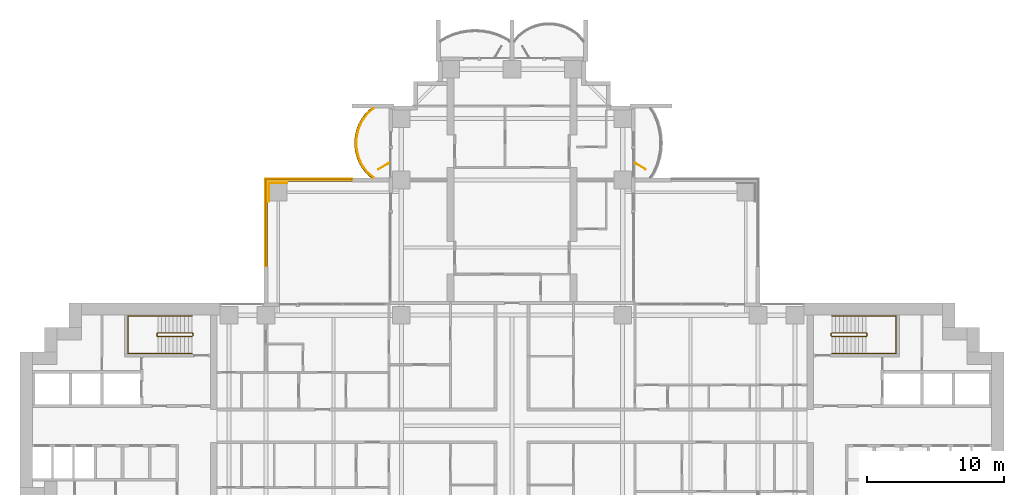
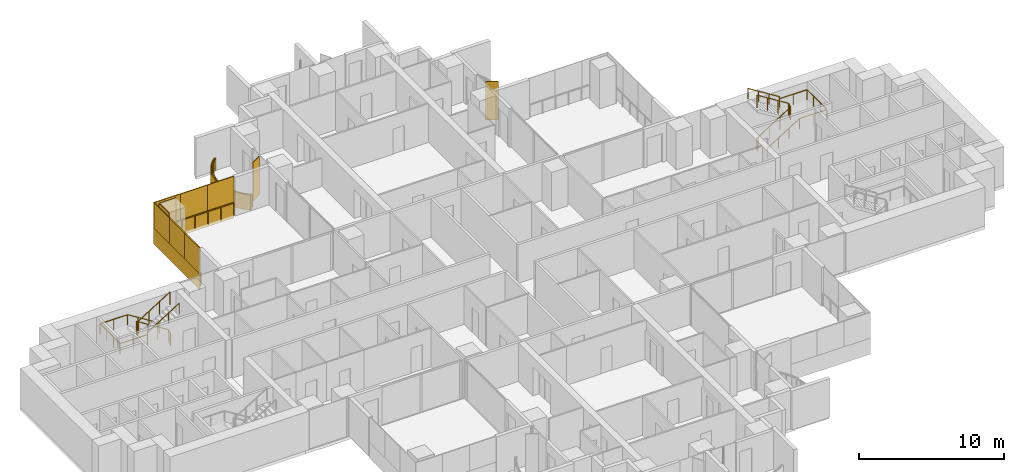
# One storey, part 20 of 21: 10 coverings, 6 railings, 2 shading devices.
"""IFC4 building model written with IfcOpenShell, lengths in metres."""

import ifcopenshell
import ifcopenshell.guid

model = None  # the IFC model being written
_history = None  # IfcOwnerHistory: only IFC2X3 demands one
_inside = {}  # id of a spatial element -> (the spatial element, [elements in it])
_under = {}  # id of a project, library or spatial element -> (it, [spatial elements below it])
_declared = {}  # id of a project -> (the project, [libraries it declares])
_typed = {}  # id of a type object -> (the type object, [elements of that type])
_made_of = {}  # id of a material, layer set ... -> (it, [elements and type objects made of it])


def new_model(schema):
    """Start an empty IFC model of exactly this schema.

    Asked for "IFC4X3", IfcOpenShell would pick the latest addendum, in which some entities
    have other attributes; the version numbers below select the first issue.
    IFC2X3 requires an IfcOwnerHistory on every rooted entity: one is made here for all.
    """
    global model, _history
    if schema == "IFC4X3":
        model = ifcopenshell.file(schema_version=(4, 3, 0, 0))
    else:
        model = ifcopenshell.file(schema=schema)
    _inside.clear()
    _under.clear()
    _declared.clear()
    _typed.clear()
    _made_of.clear()
    _history = None
    if model.schema == "IFC2X3":
        org = make("IfcOrganization", Name="unknown")
        user = make(
            "IfcPersonAndOrganization",
            ThePerson=make("IfcPerson", FamilyName="unknown"),
            TheOrganization=org,
        )
        app = make(
            "IfcApplication",
            ApplicationDeveloper=org,
            Version="unknown",
            ApplicationFullName="unknown",
            ApplicationIdentifier="unknown",
        )
        _history = make(
            "IfcOwnerHistory",
            OwningUser=user,
            OwningApplication=app,
            ChangeAction="ADDED",
            CreationDate=0,
        )
    return model


def make(cls, **values):
    """One entity of the class cls with the attributes given. An attribute that is None is left unset."""
    return model.create_entity(
        cls, **{name: value for name, value in values.items() if value is not None}
    )


def rooted(cls, **values):
    """An entity with a GlobalId (a new one), such as an element, a storey or a relation."""
    return make(cls, GlobalId=ifcopenshell.guid.new(), OwnerHistory=_history, **values)


def si_unit(unit_type, name, prefix=None):
    """IfcSIUnit, for example si_unit("LENGTHUNIT", "METRE", prefix="MILLI")."""
    return make("IfcSIUnit", UnitType=unit_type, Prefix=prefix, Name=name)


def assignment(units):
    """IfcUnitAssignment: the units of a project."""
    return None if units is None else make("IfcUnitAssignment", Units=units)


def point(xyz):
    """IfcCartesianPoint."""
    return None if xyz is None else make("IfcCartesianPoint", Coordinates=xyz)


def direction(xyz):
    """IfcDirection."""
    return None if xyz is None else make("IfcDirection", DirectionRatios=xyz)


def frame(location, z_axis=None, x_axis=None):
    """IfcAxis2Placement3D, a coordinate frame: its origin and axes. An axis left out is left unset."""
    return make(
        "IfcAxis2Placement3D",
        Location=point(location),
        Axis=direction(z_axis),
        RefDirection=direction(x_axis),
    )


def frame_2d(location, x_axis=None):
    """IfcAxis2Placement2D, a coordinate frame in the plane: its origin and x axis."""
    return make(
        "IfcAxis2Placement2D", Location=point(location), RefDirection=direction(x_axis)
    )


def origin():
    """The frame at (0, 0, 0) with its axes left unset."""
    return frame((0.0, 0.0, 0.0))


def origin_2d():
    """The frame at (0, 0) in the plane with its x axis left unset."""
    return frame_2d((0.0, 0.0))


def place(relative_to, where):
    """IfcLocalPlacement: puts the frame where relative to a parent placement (None: the world)."""
    return make(
        "IfcLocalPlacement", PlacementRelTo=relative_to, RelativePlacement=where
    )


def context(
    kind, dimensions, precision=None, world=None, true_north=None, identifier=None
):
    """IfcGeometricRepresentationContext, for example the 3D "Model" context."""
    return make(
        "IfcGeometricRepresentationContext",
        ContextIdentifier=identifier,
        ContextType=kind,
        CoordinateSpaceDimension=dimensions,
        Precision=precision,
        WorldCoordinateSystem=world,
        TrueNorth=true_north,
    )


def subcontext(parent, identifier, kind, view, scale=None):
    """IfcGeometricRepresentationSubContext, for example "Body" below "Model"."""
    return make(
        "IfcGeometricRepresentationSubContext",
        ContextIdentifier=identifier,
        ContextType=kind,
        ParentContext=parent,
        TargetScale=scale,
        TargetView=view,
    )


def project(units=None, contexts=None):
    """IfcProject with its units and contexts."""
    return rooted(
        "IfcProject",
        Name="project",
        RepresentationContexts=contexts,
        UnitsInContext=assignment(units),
    )


def spatial(cls, under=None, at=None, **own):
    """A site, building, storey or space (cls), placed at a placement, below another one or the project."""
    s = rooted(cls, ObjectPlacement=at, **own)
    if under is not None:
        _under.setdefault(under.id(), (under, []))[1].append(s)
    return s


def polyline(points):
    """IfcPolyline through the points."""
    return make("IfcPolyline", Points=[point(p) for p in points])


def profile(cls, at=None, kind="AREA", **sizes):
    """A parametric profile (cls). Its sizes go by their IFC names, for example OverallWidth=200.0."""
    return make(cls, ProfileType=kind, Position=at, **sizes)


def rectangle(**sizes):
    """IfcRectangleProfileDef."""
    return profile("IfcRectangleProfileDef", **sizes)


def outline(outer, holes=None, kind="AREA"):
    """IfcArbitraryClosedProfileDef: a profile drawn as a closed curve; with holes, ...WithVoids."""
    if holes is None:
        return make("IfcArbitraryClosedProfileDef", ProfileType=kind, OuterCurve=outer)
    return make(
        "IfcArbitraryProfileDefWithVoids",
        ProfileType=kind,
        OuterCurve=outer,
        InnerCurves=holes,
    )


def extrude(swept, where, along, depth):
    """IfcExtrudedAreaSolid: the profile swept, set in the frame where, extruded along a direction by depth."""
    return make(
        "IfcExtrudedAreaSolid",
        SweptArea=swept,
        Position=where,
        ExtrudedDirection=direction(along),
        Depth=depth,
    )


def shape(context_of_items, identifier, shape_type, items):
    """IfcShapeRepresentation: the items that make up one representation, for example the "Body"."""
    return make(
        "IfcShapeRepresentation",
        ContextOfItems=context_of_items,
        RepresentationIdentifier=identifier,
        RepresentationType=shape_type,
        Items=items,
    )


def material(Name=None, Category=None):
    """IfcMaterial."""
    return make("IfcMaterial", Name=Name, Category=Category)


def layer(
    of_material, thickness, ventilated=None, Name=None, Category=None, Priority=None
):
    """IfcMaterialLayer: one layer of a wall or slab, of a material (None: an air gap)."""
    return make(
        "IfcMaterialLayer",
        Material=of_material,
        LayerThickness=thickness,
        IsVentilated=ventilated,
        Name=Name,
        Category=Category,
        Priority=Priority,
    )


def layer_set(layers, Name=None):
    """IfcMaterialLayerSet."""
    return make("IfcMaterialLayerSet", MaterialLayers=layers, LayerSetName=Name)


def made_of(thing, what):
    """Note that an element or type object is made of a material, layer set ...; save() writes the relation."""
    if what is not None:
        _made_of.setdefault(what.id(), (what, []))[1].append(thing)
    return thing


def type_object(cls, material=None, **own):
    """A type object (cls), such as IfcWallType, which elements share."""
    return made_of(rooted(cls, **own), material)


def element(
    cls,
    number,
    at=None,
    inside=None,
    cuts=None,
    type_object=None,
    material=None,
    context=None,
    identifier="Body",
    shape_type=None,
    held_by="IfcProductDefinitionShape",
    body=None,
    shapes=None,
    **own,
):
    """One element of the class cls, such as IfcWall. Its Tag is "e" and its number.

    at: its placement. inside: the storey or other place that contains it. cuts: it is an
    opening in that element (IfcRelVoidsElement). A single representation is given by context,
    identifier, shape_type and body (its items); several are given by shapes. held_by: the class
    of the entity that holds the representations. save() writes the other relations.
    """
    e = rooted(cls, Tag="e%d" % number, ObjectPlacement=at, **own)
    if body is not None:
        shapes = [shape(context, identifier, shape_type, body)]
    if shapes is not None:
        e.Representation = make(held_by, Representations=shapes)
    if inside is not None:
        _inside.setdefault(inside.id(), (inside, []))[1].append(e)
    if cuts is not None:
        rooted(
            "IfcRelVoidsElement", RelatingBuildingElement=cuts, RelatedOpeningElement=e
        )
    if type_object is not None:
        _typed.setdefault(type_object.id(), (type_object, []))[1].append(e)
    return made_of(e, material)


def aggregate(whole, parts):
    """IfcRelAggregates: a whole, such as a stair, and the parts it consists of."""
    return rooted("IfcRelAggregates", RelatingObject=whole, RelatedObjects=parts)


def save(model, path):
    """Write the relations noted so far, then the file.

    IfcRelAggregates (storeys below a building ...), IfcRelContainedInSpatialStructure (elements
    in a storey), IfcRelDefinesByType, IfcRelAssociatesMaterial and IfcRelDeclares: one each for
    every whole, place, type object, material and project.
    """
    for whole, parts in _under.values():
        aggregate(whole, parts)
    for where, things in _inside.values():
        rooted(
            "IfcRelContainedInSpatialStructure",
            RelatedElements=things,
            RelatingStructure=where,
        )
    for kind, things in _typed.values():
        rooted("IfcRelDefinesByType", RelatedObjects=things, RelatingType=kind)
    for what, things in _made_of.values():
        rooted("IfcRelAssociatesMaterial", RelatedObjects=things, RelatingMaterial=what)
    for by, libraries in _declared.values():
        rooted("IfcRelDeclares", RelatingContext=by, RelatedDefinitions=libraries)
    model.write(path)


model = new_model("IFC4")

# Units and contexts
model_context = context("Model", 3, precision=1e-05, world=origin(), true_north=direction((0.0, 1.0)))
body_context = subcontext(model_context, "Body", "Model", "MODEL_VIEW")
ifc_project = project(units=[si_unit("LENGTHUNIT", "METRE"), si_unit("AREAUNIT", "SQUARE_METRE"), si_unit("VOLUMEUNIT", "CUBIC_METRE"), si_unit("PLANEANGLEUNIT", "RADIAN"), si_unit("MASSUNIT", "GRAM", prefix="KILO")], contexts=[model_context])

# Site, building, storey
site_placement = place(None, origin())
site = spatial("IfcSite", under=ifc_project, at=site_placement, CompositionType="ELEMENT")
building_placement = place(site_placement, origin())
building = spatial("IfcBuilding", under=site, at=building_placement, Name="Perihelion Cross Residences", CompositionType="ELEMENT")
storey_placement = place(building_placement, frame((0.0, 0.0, 40.0)))
storey = spatial("IfcBuildingStorey", under=building, at=storey_placement, Name="L06", CompositionType="ELEMENT", Elevation=40.0)

# Covering
ifc_material_1 = material(Name="Bronze anodised aluminium", Category="aluminium")
ifc_layer_1 = layer(ifc_material_1, 0.070068359375)
ifc_layer_set_1 = layer_set([ifc_layer_1], Name="Balcony fascia 1300")
covering_type_1 = type_object("IfcCoveringType", Name="Balcony fascia 1300", PredefinedType="CLADDING", material=ifc_layer_set_1)
covering_1_placement = place(storey_placement, frame((0.0, 0.0, -0.199951171875)))
element("IfcCovering", 1, at=covering_1_placement, inside=storey, type_object=covering_type_1, Name="Fascia BF1 L06 north side west bay 1", PredefinedType="CLADDING", context=body_context, shape_type="SweptSolid", body=[
    extrude(outline(polyline([(-10.674072265625, 22.90478515625), (-10.982666015625, 22.50390625), (-11.20654296875, 22.10302734375), (-11.364013671875, 21.7021484375), (-11.464599609375, 21.30126953125), (-11.513916015625, 20.900390625), (-11.513916015625, 20.49951171875), (-11.464599609375, 20.0986328125), (-11.364013671875, 19.69775390625), (-11.20654296875, 19.296875), (-10.982666015625, 18.89599609375), (-10.674072265625, 18.4951171875), (-10.302734375, 18.14990234375), (-10.199951171875, 18.14990234375), (-10.622314453125, 18.542236328125), (-10.924072265625, 18.9345703125), (-11.143310546875, 19.326904296875), (-11.29736328125, 19.71923828125), (-11.39599609375, 20.111572265625), (-11.444091796875, 20.50390625), (-11.444091796875, 20.896240234375), (-11.39599609375, 21.28857421875), (-11.29736328125, 21.6806640625), (-11.143310546875, 22.072998046875), (-10.924072265625, 22.46533203125), (-10.622314453125, 22.857666015625), (-10.199951171875, 23.25), (-10.302734375, 23.25), (-10.674072265625, 22.90478515625)])), origin(), (0.0, 0.0, 1.0), 1.300048828125),
])

# Railings
ifc_material_2 = material(Name="Bronze anodised aluminium", Category="aluminium")
railing_type_1 = type_object("IfcRailingType", Name="Balcony guard 1100", PredefinedType="GUARDRAIL", material=ifc_material_2)
railing_1_placement = place(storey_placement, frame((-10.139892578125, 23.22509765625, 0.0)))
element("IfcRailing", 2, at=railing_1_placement, inside=storey, type_object=railing_type_1, Name="Guard GU1 L06 north side west bay 1 balcony", PredefinedType="GUARDRAIL", context=body_context, shape_type="SweptSolid", body=[
    extrude(rectangle(XDim=0.048095703125, YDim=0.048095703125, at=origin_2d()), frame((0.0, 0.0, 1.076171875), z_axis=(-0.754464673757, -0.656340655493, 0.0), x_axis=(0.656340655493, -0.754464673757, 0.0)), (0.0, 0.0, 1.0), 0.559814453125),
    extrude(rectangle(XDim=0.048095703125, YDim=0.048095703125, at=origin_2d()), frame((-0.42236328125, -0.367431640625, 1.076171875), z_axis=(-0.60966308455, -0.792660660899, 0.0), x_axis=(0.792660660899, -0.60966308455, 0.0)), (0.0, 0.0, 1.0), 0.494873046875),
    extrude(rectangle(XDim=0.048095703125, YDim=0.048095703125, at=origin_2d()), frame((-0.72412109375, -0.759765625, 1.076171875), z_axis=(-0.487809182674, -0.872950285698, 0.0), x_axis=(0.872950285698, -0.487809182674, 0.0)), (0.0, 0.0, 1.0), 0.449462890625),
    extrude(rectangle(XDim=0.048095703125, YDim=0.048095703125, at=origin_2d()), frame((-0.943359375, -1.152099609375, 1.076171875), z_axis=(-0.365491079925, -0.930814842219, 0.0), x_axis=(0.930814842219, -0.365491079925, 0.0)), (0.0, 0.0, 1.0), 0.42138671875),
    extrude(rectangle(XDim=0.048095703125, YDim=0.048095703125, at=origin_2d()), frame((-1.097412109375, -1.54443359375, 1.076171875), z_axis=(-0.243956193074, -0.969786252666, 0.0), x_axis=(0.969786252666, -0.243956193074, 0.0)), (0.0, 0.0, 1.0), 0.404296875),
    extrude(rectangle(XDim=0.048095703125, YDim=0.048095703125, at=origin_2d()), frame((-1.196044921875, -1.9365234375, 1.076171875), z_axis=(-0.121677797999, -0.992569651699, 0.0), x_axis=(0.992569651699, -0.121677797999, 0.0)), (0.0, 0.0, 1.0), 0.395263671875),
    extrude(rectangle(XDim=0.048095703125, YDim=0.048095703125, at=origin_2d()), frame((-1.244140625, -2.328857421875, 1.076171875), z_axis=(0.0, -1.0, 0.0), x_axis=(1.0, 0.0, 0.0)), (0.0, 0.0, 1.0), 0.392333984375),
    extrude(rectangle(XDim=0.048095703125, YDim=0.048095703125, at=origin_2d()), frame((-1.244140625, -2.72119140625, 1.076171875), z_axis=(0.121677797999, -0.992569651699, 0.0), x_axis=(0.992569651699, 0.121677797999, 0.0)), (0.0, 0.0, 1.0), 0.395263671875),
    extrude(rectangle(XDim=0.048095703125, YDim=0.048095703125, at=origin_2d()), frame((-1.196044921875, -3.113525390625, 1.076171875), z_axis=(0.243813411509, -0.969822159145, 0.0), x_axis=(0.969822159145, 0.243813411509, 0.0)), (0.0, 0.0, 1.0), 0.404541015625),
    extrude(rectangle(XDim=0.048095703125, YDim=0.048095703125, at=origin_2d()), frame((-1.097412109375, -3.505859375, 1.076171875), z_axis=(0.365491079925, -0.930814842219, 0.0), x_axis=(0.930814842219, 0.365491079925, 0.0)), (0.0, 0.0, 1.0), 0.42138671875),
    extrude(rectangle(XDim=0.048095703125, YDim=0.048095703125, at=origin_2d()), frame((-0.943359375, -3.898193359375, 1.076171875), z_axis=(0.487809182674, -0.872950285698, 0.0), x_axis=(0.872950285698, 0.487809182674, 0.0)), (0.0, 0.0, 1.0), 0.449462890625),
    extrude(rectangle(XDim=0.048095703125, YDim=0.048095703125, at=origin_2d()), frame((-0.72412109375, -4.29052734375, 1.076171875), z_axis=(0.60966308455, -0.792660660899, 0.0), x_axis=(0.792660660899, 0.60966308455, 0.0)), (0.0, 0.0, 1.0), 0.494873046875),
    extrude(rectangle(XDim=0.048095703125, YDim=0.048095703125, at=origin_2d()), frame((-0.42236328125, -4.682861328125, 1.076171875), z_axis=(0.754680648599, -0.656092309534, 0.0), x_axis=(0.656092309534, 0.754680648599, 0.0)), (0.0, 0.0, 1.0), 0.5595703125),
    extrude(rectangle(XDim=0.0419921875, YDim=0.0419921875, at=origin_2d()), origin(), (0.0, 0.0, 1.0), 1.052001953125),
    extrude(rectangle(XDim=0.0419921875, YDim=0.0419921875, at=origin_2d()), frame((-0.42236328125, -0.367431640625, 0.0)), (0.0, 0.0, 1.0), 1.052001953125),
    extrude(rectangle(XDim=0.0419921875, YDim=0.0419921875, at=origin_2d()), frame((-0.72412109375, -0.759765625, 0.0)), (0.0, 0.0, 1.0), 1.052001953125),
    extrude(rectangle(XDim=0.0419921875, YDim=0.0419921875, at=origin_2d()), frame((-0.943359375, -1.152099609375, 0.0)), (0.0, 0.0, 1.0), 1.052001953125),
    extrude(rectangle(XDim=0.0419921875, YDim=0.0419921875, at=origin_2d()), frame((-1.097412109375, -1.54443359375, 0.0)), (0.0, 0.0, 1.0), 1.052001953125),
    extrude(rectangle(XDim=0.0419921875, YDim=0.0419921875, at=origin_2d()), frame((-1.196044921875, -1.9365234375, 0.0)), (0.0, 0.0, 1.0), 1.052001953125),
    extrude(rectangle(XDim=0.0419921875, YDim=0.0419921875, at=origin_2d()), frame((-1.244140625, -2.328857421875, 0.0)), (0.0, 0.0, 1.0), 1.052001953125),
    extrude(rectangle(XDim=0.0419921875, YDim=0.0419921875, at=origin_2d()), frame((-1.244140625, -2.72119140625, 0.0)), (0.0, 0.0, 1.0), 1.052001953125),
    extrude(rectangle(XDim=0.0419921875, YDim=0.0419921875, at=origin_2d()), frame((-1.196044921875, -3.113525390625, 0.0)), (0.0, 0.0, 1.0), 1.052001953125),
    extrude(rectangle(XDim=0.0419921875, YDim=0.0419921875, at=origin_2d()), frame((-1.097412109375, -3.505859375, 0.0)), (0.0, 0.0, 1.0), 1.052001953125),
    extrude(rectangle(XDim=0.0419921875, YDim=0.0419921875, at=origin_2d()), frame((-0.943359375, -3.898193359375, 0.0)), (0.0, 0.0, 1.0), 1.052001953125),
    extrude(rectangle(XDim=0.0419921875, YDim=0.0419921875, at=origin_2d()), frame((-0.72412109375, -4.29052734375, 0.0)), (0.0, 0.0, 1.0), 1.052001953125),
    extrude(rectangle(XDim=0.0419921875, YDim=0.0419921875, at=origin_2d()), frame((-0.42236328125, -4.682861328125, 0.0)), (0.0, 0.0, 1.0), 1.052001953125),
    extrude(rectangle(XDim=0.0419921875, YDim=0.0419921875, at=origin_2d()), frame((0.0, -5.050048828125, 0.0)), (0.0, 0.0, 1.0), 1.052001953125),
])
railing_2_placement = place(storey_placement, frame((-17.93994140625, 11.739990234375, 0.0)))
element("IfcRailing", 3, at=railing_2_placement, inside=storey, type_object=railing_type_1, Name="Guard GU1 L06 pocket north-west 1", PredefinedType="GUARDRAIL", context=body_context, shape_type="SweptSolid", body=[
    extrude(rectangle(XDim=0.048095703125, YDim=0.048095703125, at=origin_2d()), frame((0.0, 0.0, 1.076171875), z_axis=(0.0, 1.0, 0.0), x_axis=(-1.0, 0.0, 0.0)), (0.0, 0.0, 1.0), 6.199951171875),
    extrude(rectangle(XDim=0.048095703125, YDim=0.048095703125, at=origin_2d()), frame((0.0, 6.199951171875, 1.076171875), z_axis=(1.0, 0.0, 0.0), x_axis=(0.0, 1.0, 0.0)), (0.0, 0.0, 1.0), 6.199951171875),
    extrude(rectangle(XDim=0.0419921875, YDim=0.0419921875, at=origin_2d()), origin(), (0.0, 0.0, 1.0), 1.052001953125),
    extrude(rectangle(XDim=0.0419921875, YDim=0.0419921875, at=origin_2d()), frame((0.0, 1.033203125, 0.0)), (0.0, 0.0, 1.0), 1.052001953125),
    extrude(rectangle(XDim=0.0419921875, YDim=0.0419921875, at=origin_2d()), frame((0.0, 2.066650390625, 0.0)), (0.0, 0.0, 1.0), 1.052001953125),
    extrude(rectangle(XDim=0.0419921875, YDim=0.0419921875, at=origin_2d()), frame((0.0, 3.10009765625, 0.0)), (0.0, 0.0, 1.0), 1.052001953125),
    extrude(rectangle(XDim=0.0419921875, YDim=0.0419921875, at=origin_2d()), frame((0.0, 4.13330078125, 0.0)), (0.0, 0.0, 1.0), 1.052001953125),
    extrude(rectangle(XDim=0.0419921875, YDim=0.0419921875, at=origin_2d()), frame((0.0, 5.16650390625, 0.0)), (0.0, 0.0, 1.0), 1.052001953125),
    extrude(rectangle(XDim=0.0419921875, YDim=0.0419921875, at=origin_2d()), frame((0.0, 6.199951171875, 0.0)), (0.0, 0.0, 1.0), 1.052001953125),
    extrude(rectangle(XDim=0.0419921875, YDim=0.0419921875, at=origin_2d()), frame((1.033203125, 6.199951171875, 0.0)), (0.0, 0.0, 1.0), 1.052001953125),
    extrude(rectangle(XDim=0.0419921875, YDim=0.0419921875, at=origin_2d()), frame((2.066650390625, 6.199951171875, 0.0)), (0.0, 0.0, 1.0), 1.052001953125),
    extrude(rectangle(XDim=0.0419921875, YDim=0.0419921875, at=origin_2d()), frame((3.10009765625, 6.199951171875, 0.0)), (0.0, 0.0, 1.0), 1.052001953125),
    extrude(rectangle(XDim=0.0419921875, YDim=0.0419921875, at=origin_2d()), frame((4.13330078125, 6.199951171875, 0.0)), (0.0, 0.0, 1.0), 1.052001953125),
    extrude(rectangle(XDim=0.0419921875, YDim=0.0419921875, at=origin_2d()), frame((5.16650390625, 6.199951171875, 0.0)), (0.0, 0.0, 1.0), 1.052001953125),
    extrude(rectangle(XDim=0.0419921875, YDim=0.0419921875, at=origin_2d()), frame((6.199951171875, 6.199951171875, 0.0)), (0.0, 0.0, 1.0), 1.052001953125),
])

# Coverings
ifc_material_3 = material(Name="Bronze anodised aluminium", Category="aluminium")
ifc_layer_2 = layer(ifc_material_3, 0.0400390625)
ifc_layer_set_2 = layer_set([ifc_layer_2], Name="Bronze column casing 40")
covering_type_2 = type_object("IfcCoveringType", Name="Bronze column casing 40", PredefinedType="CLADDING", material=ifc_layer_set_2)
covering_2_placement = place(storey_placement, frame((-17.77001953125, 17.10009765625, -0.25), z_axis=(0.0, 0.0, 1.0), x_axis=(1.0, 0.0, 0.0)))
element("IfcCovering", 4, at=covering_2_placement, inside=storey, type_object=covering_type_2, Name="Cladding CC1 L06 casing east-west no. 2", PredefinedType="CLADDING", context=body_context, shape_type="SweptSolid", body=[
    extrude(rectangle(XDim=0.0400390625, YDim=1.3798828125, at=origin_2d()), origin(), (0.0, 0.0, 1.0), 3.5),
])
covering_3_placement = place(storey_placement, frame((-17.10009765625, 17.77001953125, -0.25), z_axis=(0.0, 0.0, 1.0), x_axis=(1.0, 0.0, 0.0)))
element("IfcCovering", 5, at=covering_3_placement, inside=storey, type_object=covering_type_2, Name="Cladding CC1 L06 casing north-south no. 2", PredefinedType="CLADDING", context=body_context, shape_type="SweptSolid", body=[
    extrude(rectangle(XDim=1.300048828125, YDim=0.0400390625, at=origin_2d()), origin(), (0.0, 0.0, 1.0), 3.5),
])

# Shading devices
ifc_material_4 = material(Name="Bronze anodised aluminium", Category="aluminium")
ifc_layer_3 = layer(ifc_material_4, 0.050048828125)
ifc_layer_set_3 = layer_set([ifc_layer_3], Name="Bronze fin 900")
shading_device_type = type_object("IfcShadingDeviceType", Name="Bronze fin 900", PredefinedType="USERDEFINED", material=ifc_layer_set_3)
for number, where, z_axis, x_axis, name in (
    (6, (9.3896484375, 19.0, 0.0), (0.0, 0.0, 1.0), (0.866025403784, -0.5, 0.0), "Fin FN1 L06 north side east bay 2"),
    (7, (-9.3896484375, 19.0, 0.0), (0.0, 0.0, 1.0), (-0.866025403784, -0.5, 0.0), "Fin FN1 L06 north side west bay 1"),
):
    element("IfcShadingDevice", number, at=place(storey_placement, frame(where, z_axis=z_axis, x_axis=x_axis)), inside=storey, type_object=shading_device_type, Name=name, ObjectType="FIN", PredefinedType="USERDEFINED", context=body_context, shape_type="SweptSolid", body=[
        extrude(rectangle(XDim=0.89990234375, YDim=0.050048828125, at=origin_2d()), origin(), (0.0, 0.0, 1.0), 3.25),
    ])

# Coverings
ifc_material_5 = material(Name="Bronze anodised aluminium", Category="aluminium")
ifc_layer_4 = layer(ifc_material_5, 0.070068359375)
ifc_layer_set_4 = layer_set([ifc_layer_4], Name="Pocket fascia 1350")
covering_type_3 = type_object("IfcCoveringType", Name="Pocket fascia 1350", PredefinedType="CLADDING", material=ifc_layer_set_4)
covering_4_placement = place(storey_placement, frame((0.0, 0.0, -0.25)))
element("IfcCovering", 8, at=covering_4_placement, inside=storey, type_object=covering_type_3, Name="Fascia BF2 L06 pocket north-west 3", PredefinedType="CLADDING", context=body_context, shape_type="SweptSolid", body=[
    extrude(outline(polyline([(-18.070068359375, 18.070068359375), (-18.070068359375, 11.699951171875), (-18.0, 11.699951171875), (-18.0, 18.0), (-11.699951171875, 18.0), (-11.699951171875, 18.070068359375), (-18.070068359375, 18.070068359375)])), origin(), (0.0, 0.0, 1.0), 1.35009765625),
])
ifc_material_6 = material(Name="Bronze perforated aluminium", Category="aluminium")
ifc_layer_5 = layer(ifc_material_6, 0.070068359375)
ifc_layer_set_5 = layer_set([ifc_layer_5], Name="Pocket solar screen, bronze perforated")
covering_type_4 = type_object("IfcCoveringType", Name="Pocket solar screen, bronze perforated", PredefinedType="CLADDING", material=ifc_layer_set_5)
covering_5_placement = place(storey_placement, frame((0.0, 0.0, 1.10009765625)))
element("IfcCovering", 9, at=covering_5_placement, inside=storey, type_object=covering_type_4, Name="Solar screen PS1 L06 pocket north-west no. 1", PredefinedType="CLADDING", context=body_context, shape_type="SweptSolid", body=[
    extrude(outline(polyline([(-18.0, 11.699951171875), (-18.0, 13.800048828125), (-18.070068359375, 13.800048828125), (-18.070068359375, 11.699951171875), (-18.0, 11.699951171875)])), origin(), (0.0, 0.0, 1.0), 2.14990234375),
])
covering_6_placement = place(storey_placement, frame((0.0, 0.0, 1.10009765625)))
element("IfcCovering", 10, at=covering_6_placement, inside=storey, type_object=covering_type_4, Name="Solar screen PS1 L06 pocket north-west no. 2", PredefinedType="CLADDING", context=body_context, shape_type="SweptSolid", body=[
    extrude(outline(polyline([(-18.0, 13.800048828125), (-18.0, 15.89990234375), (-18.070068359375, 15.89990234375), (-18.070068359375, 13.800048828125), (-18.0, 13.800048828125)])), origin(), (0.0, 0.0, 1.0), 2.14990234375),
])
covering_7_placement = place(storey_placement, frame((0.0, 0.0, 1.10009765625)))
element("IfcCovering", 11, at=covering_7_placement, inside=storey, type_object=covering_type_4, Name="Solar screen PS1 L06 pocket north-west no. 3", PredefinedType="CLADDING", context=body_context, shape_type="SweptSolid", body=[
    extrude(outline(polyline([(-18.0, 15.89990234375), (-18.0, 18.0), (-18.070068359375, 18.0), (-18.070068359375, 15.89990234375), (-18.0, 15.89990234375)])), origin(), (0.0, 0.0, 1.0), 2.14990234375),
])
covering_8_placement = place(storey_placement, frame((0.0, 0.0, 1.10009765625)))
element("IfcCovering", 12, at=covering_8_placement, inside=storey, type_object=covering_type_4, Name="Solar screen PS1 L06 pocket north-west no. 4", PredefinedType="CLADDING", context=body_context, shape_type="SweptSolid", body=[
    extrude(outline(polyline([(-15.94677734375, 18.0), (-15.94677734375, 18.070068359375), (-18.070068359375, 18.070068359375), (-18.070068359375, 18.0), (-15.94677734375, 18.0)])), origin(), (0.0, 0.0, 1.0), 2.14990234375),
])
covering_9_placement = place(storey_placement, frame((0.0, 0.0, 1.10009765625)))
element("IfcCovering", 13, at=covering_9_placement, inside=storey, type_object=covering_type_4, Name="Solar screen PS1 L06 pocket north-west no. 5", PredefinedType="CLADDING", context=body_context, shape_type="SweptSolid", body=[
    extrude(outline(polyline([(-13.8232421875, 18.0), (-13.8232421875, 18.070068359375), (-15.94677734375, 18.070068359375), (-15.94677734375, 18.0), (-13.8232421875, 18.0)])), origin(), (0.0, 0.0, 1.0), 2.14990234375),
])
covering_10_placement = place(storey_placement, frame((0.0, 0.0, 1.10009765625)))
element("IfcCovering", 14, at=covering_10_placement, inside=storey, type_object=covering_type_4, Name="Solar screen PS1 L06 pocket north-west no. 6", PredefinedType="CLADDING", context=body_context, shape_type="SweptSolid", body=[
    extrude(outline(polyline([(-11.699951171875, 18.0), (-11.699951171875, 18.070068359375), (-13.8232421875, 18.070068359375), (-13.8232421875, 18.0), (-11.699951171875, 18.0)])), origin(), (0.0, 0.0, 1.0), 2.14990234375),
])

# Railings
ifc_material_7 = material(Name="Stainless steel", Category="steel")
railing_type_2 = type_object("IfcRailingType", Name="Stair guard 1100", PredefinedType="GUARDRAIL", material=ifc_material_7)
railing_3_placement = place(storey_placement, frame((23.35009765625, 6.75, 0.0)))
element("IfcRailing", 15, at=railing_3_placement, inside=storey, type_object=railing_type_2, Name="L06 ST-E1 stair guard 1", PredefinedType="GUARDRAIL", context=body_context, shape_type="SweptSolid", body=[
    extrude(rectangle(XDim=0.048095703125, YDim=0.048095703125, at=origin_2d()), frame((0.0, 0.0, 1.076171875), z_axis=(0.0, -1.0, 0.0), x_axis=(1.0, 0.0, 0.0)), (0.0, 0.0, 1.0), 0.14990234375),
    extrude(rectangle(XDim=0.048095703125, YDim=0.048095703125, at=origin_2d()), frame((0.0, -0.14990234375, 1.076171875), z_axis=(0.263862480399, -0.265155923931, 0.927399011991), x_axis=(0.708833529934, 0.705375805398, 0.0)), (0.0, 0.0, 1.0), 0.188720703125),
    extrude(rectangle(XDim=0.048095703125, YDim=0.048095703125, at=origin_2d()), frame((0.0498046875, -0.199951171875, 1.2509765625), z_axis=(0.848007534815, 0.0, 0.529984170421), x_axis=(0.0, 1.0, 0.0)), (0.0, 0.0, 1.0), 2.9716796875),
    extrude(rectangle(XDim=0.048095703125, YDim=0.048095703125, at=origin_2d()), frame((2.56982421875, -0.199951171875, 2.826171875), z_axis=(0.707106781187, 0.707106781187, 0.0), x_axis=(-0.707106781187, 0.707106781187, 0.0)), (0.0, 0.0, 1.0), 0.07080078125),
    extrude(rectangle(XDim=0.048095703125, YDim=0.048095703125, at=origin_2d()), frame((2.619873046875, -0.14990234375, 2.826171875), z_axis=(0.0, 1.0, 0.0), x_axis=(-1.0, 0.0, 0.0)), (0.0, 0.0, 1.0), 0.14990234375),
    extrude(rectangle(XDim=0.048095703125, YDim=0.048095703125, at=origin_2d()), frame((2.619873046875, 0.0, 2.826171875), z_axis=(-0.265065253269, 0.265065253269, 0.927081885822), x_axis=(-0.707106781187, -0.707106781187, 0.0)), (0.0, 0.0, 1.0), 0.188720703125),
    extrude(rectangle(XDim=0.048095703125, YDim=0.048095703125, at=origin_2d()), frame((2.56982421875, 0.050048828125, 3.0009765625), z_axis=(-0.848007534815, 0.0, 0.529984170421), x_axis=(0.0, -1.0, 0.0)), (0.0, 0.0, 1.0), 2.9716796875),
    extrude(rectangle(XDim=0.0419921875, YDim=0.0419921875, at=origin_2d()), origin(), (0.0, 0.0, 1.0), 1.052001953125),
    extrude(rectangle(XDim=0.0419921875, YDim=0.0419921875, at=origin_2d()), frame((0.0, -0.14990234375, 0.0)), (0.0, 0.0, 1.0), 1.052001953125),
    extrude(rectangle(XDim=0.0419921875, YDim=0.0419921875, at=origin_2d()), frame((0.0498046875, -0.199951171875, 0.175048828125)), (0.0, 0.0, 1.0), 1.052001953125),
    extrude(rectangle(XDim=0.0419921875, YDim=0.0419921875, at=origin_2d()), frame((0.889892578125, -0.199951171875, 0.699951171875)), (0.0, 0.0, 1.0), 1.052001953125),
    extrude(rectangle(XDim=0.0419921875, YDim=0.0419921875, at=origin_2d()), frame((1.729736328125, -0.199951171875, 1.22509765625)), (0.0, 0.0, 1.0), 1.052001953125),
    extrude(rectangle(XDim=0.0419921875, YDim=0.0419921875, at=origin_2d()), frame((2.56982421875, -0.199951171875, 1.75)), (0.0, 0.0, 1.0), 1.052001953125),
    extrude(rectangle(XDim=0.0419921875, YDim=0.0419921875, at=origin_2d()), frame((2.619873046875, -0.14990234375, 1.75)), (0.0, 0.0, 1.0), 1.052001953125),
    extrude(rectangle(XDim=0.0419921875, YDim=0.0419921875, at=origin_2d()), frame((2.619873046875, 0.0, 1.75)), (0.0, 0.0, 1.0), 1.052001953125),
    extrude(rectangle(XDim=0.0419921875, YDim=0.0419921875, at=origin_2d()), frame((2.56982421875, 0.050048828125, 1.925048828125)), (0.0, 0.0, 1.0), 1.052001953125),
    extrude(rectangle(XDim=0.0419921875, YDim=0.0419921875, at=origin_2d()), frame((1.729736328125, 0.050048828125, 2.449951171875)), (0.0, 0.0, 1.0), 1.052001953125),
    extrude(rectangle(XDim=0.0419921875, YDim=0.0419921875, at=origin_2d()), frame((0.889892578125, 0.050048828125, 2.97509765625)), (0.0, 0.0, 1.0), 1.052001953125),
    extrude(rectangle(XDim=0.0419921875, YDim=0.0419921875, at=origin_2d()), frame((0.0498046875, 0.050048828125, 3.5)), (0.0, 0.0, 1.0), 1.052001953125),
])
railing_4_placement = place(storey_placement, frame((-23.35009765625, 6.60009765625, 0.0)))
element("IfcRailing", 16, at=railing_4_placement, inside=storey, type_object=railing_type_2, Name="L06 ST-W1 stair guard 1", PredefinedType="GUARDRAIL", context=body_context, shape_type="SweptSolid", body=[
    extrude(rectangle(XDim=0.048095703125, YDim=0.048095703125, at=origin_2d()), frame((0.0, 0.0, 1.076171875), z_axis=(0.0, 1.0, 0.0), x_axis=(-1.0, 0.0, 0.0)), (0.0, 0.0, 1.0), 0.14990234375),
    extrude(rectangle(XDim=0.048095703125, YDim=0.048095703125, at=origin_2d()), frame((0.0, 0.14990234375, 1.076171875), z_axis=(-0.263862480399, 0.265155923931, 0.927399011991), x_axis=(-0.708833529934, -0.705375805398, 0.0)), (0.0, 0.0, 1.0), 0.188720703125),
    extrude(rectangle(XDim=0.048095703125, YDim=0.048095703125, at=origin_2d()), frame((-0.0498046875, 0.199951171875, 1.2509765625), z_axis=(-0.848007534815, 0.0, 0.529984170421), x_axis=(0.0, -1.0, 0.0)), (0.0, 0.0, 1.0), 2.9716796875),
    extrude(rectangle(XDim=0.048095703125, YDim=0.048095703125, at=origin_2d()), frame((-2.56982421875, 0.199951171875, 2.826171875), z_axis=(-0.707106781187, -0.707106781187, 0.0), x_axis=(0.707106781187, -0.707106781187, 0.0)), (0.0, 0.0, 1.0), 0.07080078125),
    extrude(rectangle(XDim=0.048095703125, YDim=0.048095703125, at=origin_2d()), frame((-2.619873046875, 0.14990234375, 2.826171875), z_axis=(0.0, -1.0, 0.0), x_axis=(1.0, 0.0, 0.0)), (0.0, 0.0, 1.0), 0.14990234375),
    extrude(rectangle(XDim=0.048095703125, YDim=0.048095703125, at=origin_2d()), frame((-2.619873046875, 0.0, 2.826171875), z_axis=(0.265065253269, -0.265065253269, 0.927081885822), x_axis=(0.707106781187, 0.707106781187, 0.0)), (0.0, 0.0, 1.0), 0.188720703125),
    extrude(rectangle(XDim=0.048095703125, YDim=0.048095703125, at=origin_2d()), frame((-2.56982421875, -0.050048828125, 3.0009765625), z_axis=(0.848007534815, 0.0, 0.529984170421), x_axis=(0.0, 1.0, 0.0)), (0.0, 0.0, 1.0), 2.9716796875),
    extrude(rectangle(XDim=0.0419921875, YDim=0.0419921875, at=origin_2d()), origin(), (0.0, 0.0, 1.0), 1.052001953125),
    extrude(rectangle(XDim=0.0419921875, YDim=0.0419921875, at=origin_2d()), frame((0.0, 0.14990234375, 0.0)), (0.0, 0.0, 1.0), 1.052001953125),
    extrude(rectangle(XDim=0.0419921875, YDim=0.0419921875, at=origin_2d()), frame((-0.0498046875, 0.199951171875, 0.175048828125)), (0.0, 0.0, 1.0), 1.052001953125),
    extrude(rectangle(XDim=0.0419921875, YDim=0.0419921875, at=origin_2d()), frame((-0.889892578125, 0.199951171875, 0.699951171875)), (0.0, 0.0, 1.0), 1.052001953125),
    extrude(rectangle(XDim=0.0419921875, YDim=0.0419921875, at=origin_2d()), frame((-1.729736328125, 0.199951171875, 1.22509765625)), (0.0, 0.0, 1.0), 1.052001953125),
    extrude(rectangle(XDim=0.0419921875, YDim=0.0419921875, at=origin_2d()), frame((-2.56982421875, 0.199951171875, 1.75)), (0.0, 0.0, 1.0), 1.052001953125),
    extrude(rectangle(XDim=0.0419921875, YDim=0.0419921875, at=origin_2d()), frame((-2.619873046875, 0.14990234375, 1.75)), (0.0, 0.0, 1.0), 1.052001953125),
    extrude(rectangle(XDim=0.0419921875, YDim=0.0419921875, at=origin_2d()), frame((-2.619873046875, 0.0, 1.75)), (0.0, 0.0, 1.0), 1.052001953125),
    extrude(rectangle(XDim=0.0419921875, YDim=0.0419921875, at=origin_2d()), frame((-2.56982421875, -0.050048828125, 1.925048828125)), (0.0, 0.0, 1.0), 1.052001953125),
    extrude(rectangle(XDim=0.0419921875, YDim=0.0419921875, at=origin_2d()), frame((-1.729736328125, -0.050048828125, 2.449951171875)), (0.0, 0.0, 1.0), 1.052001953125),
    extrude(rectangle(XDim=0.0419921875, YDim=0.0419921875, at=origin_2d()), frame((-0.889892578125, -0.050048828125, 2.97509765625)), (0.0, 0.0, 1.0), 1.052001953125),
    extrude(rectangle(XDim=0.0419921875, YDim=0.0419921875, at=origin_2d()), frame((-0.0498046875, -0.050048828125, 3.5)), (0.0, 0.0, 1.0), 1.052001953125),
])
ifc_material_8 = material(Name="Stainless steel", Category="steel")
railing_type_3 = type_object("IfcRailingType", Name="Stair handrail 900", PredefinedType="HANDRAIL", material=ifc_material_8)
railing_5_placement = place(storey_placement, frame((23.39990234375, 5.300048828125, 0.175048828125)))
element("IfcRailing", 17, at=railing_5_placement, inside=storey, type_object=railing_type_3, Name="L06 ST-E1 stair handrail 1", PredefinedType="HANDRAIL", context=body_context, shape_type="SweptSolid", body=[
    extrude(rectangle(XDim=0.048095703125, YDim=0.048095703125, at=origin_2d()), frame((0.0, 0.0, 0.8759765625), z_axis=(0.848007534815, 0.0, 0.529984170421), x_axis=(0.0, 1.0, 0.0)), (0.0, 0.0, 1.0), 2.9716796875),
    extrude(rectangle(XDim=0.048095703125, YDim=0.048095703125, at=origin_2d()), frame((2.52001953125, 0.0, 2.45068359375), z_axis=(1.0, 0.0, 0.0), x_axis=(0.0, 1.0, 0.0)), (0.0, 0.0, 1.0), 2.18017578125),
    extrude(rectangle(XDim=0.048095703125, YDim=0.048095703125, at=origin_2d()), frame((4.7001953125, 0.0, 2.45068359375), z_axis=(0.0, 1.0, 0.0), x_axis=(-1.0, 0.0, 0.0)), (0.0, 0.0, 1.0), 2.75),
    extrude(rectangle(XDim=0.048095703125, YDim=0.048095703125, at=origin_2d()), frame((4.7001953125, 2.75, 2.45068359375), z_axis=(-1.0, 0.0, 0.0), x_axis=(0.0, -1.0, 0.0)), (0.0, 0.0, 1.0), 2.18017578125),
    extrude(rectangle(XDim=0.048095703125, YDim=0.048095703125, at=origin_2d()), frame((2.52001953125, 2.75, 2.45068359375), z_axis=(0.0, 0.0, 1.0), x_axis=(1.0, 0.0, 0.0)), (0.0, 0.0, 1.0), 0.175048828125),
    extrude(rectangle(XDim=0.048095703125, YDim=0.048095703125, at=origin_2d()), frame((2.52001953125, 2.75, 2.6259765625), z_axis=(-0.848007534815, 0.0, 0.529984170421), x_axis=(0.0, -1.0, 0.0)), (0.0, 0.0, 1.0), 2.9716796875),
    extrude(rectangle(XDim=0.0419921875, YDim=0.0419921875, at=origin_2d()), origin(), (0.0, 0.0, 1.0), 0.851806640625),
    extrude(rectangle(XDim=0.0419921875, YDim=0.0419921875, at=origin_2d()), frame((0.840087890625, 0.0, 0.52490234375)), (0.0, 0.0, 1.0), 0.851806640625),
    extrude(rectangle(XDim=0.0419921875, YDim=0.0419921875, at=origin_2d()), frame((1.679931640625, 0.0, 1.050048828125)), (0.0, 0.0, 1.0), 0.851806640625),
    extrude(rectangle(XDim=0.0419921875, YDim=0.0419921875, at=origin_2d()), frame((2.52001953125, 0.0, 1.574951171875)), (0.0, 0.0, 1.0), 0.851806640625),
    extrude(rectangle(XDim=0.0419921875, YDim=0.0419921875, at=origin_2d()), frame((3.610107421875, 0.0, 1.574951171875)), (0.0, 0.0, 1.0), 0.851806640625),
    extrude(rectangle(XDim=0.0419921875, YDim=0.0419921875, at=origin_2d()), frame((4.7001953125, 0.0, 1.574951171875)), (0.0, 0.0, 1.0), 0.851806640625),
    extrude(rectangle(XDim=0.0419921875, YDim=0.0419921875, at=origin_2d()), frame((4.7001953125, 0.916748046875, 1.574951171875)), (0.0, 0.0, 1.0), 0.851806640625),
    extrude(rectangle(XDim=0.0419921875, YDim=0.0419921875, at=origin_2d()), frame((4.7001953125, 1.833251953125, 1.574951171875)), (0.0, 0.0, 1.0), 0.851806640625),
    extrude(rectangle(XDim=0.0419921875, YDim=0.0419921875, at=origin_2d()), frame((4.7001953125, 2.75, 1.574951171875)), (0.0, 0.0, 1.0), 0.851806640625),
    extrude(rectangle(XDim=0.0419921875, YDim=0.0419921875, at=origin_2d()), frame((3.610107421875, 2.75, 1.574951171875)), (0.0, 0.0, 1.0), 0.851806640625),
    extrude(rectangle(XDim=0.0419921875, YDim=0.0419921875, at=origin_2d()), frame((2.52001953125, 2.75, 1.574951171875)), (0.0, 0.0, 1.0), 0.851806640625),
    extrude(rectangle(XDim=0.0419921875, YDim=0.0419921875, at=origin_2d()), frame((2.52001953125, 2.75, 1.75)), (0.0, 0.0, 1.0), 0.851806640625),
    extrude(rectangle(XDim=0.0419921875, YDim=0.0419921875, at=origin_2d()), frame((1.679931640625, 2.75, 2.27490234375)), (0.0, 0.0, 1.0), 0.851806640625),
    extrude(rectangle(XDim=0.0419921875, YDim=0.0419921875, at=origin_2d()), frame((0.840087890625, 2.75, 2.800048828125)), (0.0, 0.0, 1.0), 0.851806640625),
    extrude(rectangle(XDim=0.0419921875, YDim=0.0419921875, at=origin_2d()), frame((0.0, 2.75, 3.324951171875)), (0.0, 0.0, 1.0), 0.851806640625),
])
railing_6_placement = place(storey_placement, frame((-23.39990234375, 8.050048828125, 0.175048828125)))
element("IfcRailing", 18, at=railing_6_placement, inside=storey, type_object=railing_type_3, Name="L06 ST-W1 stair handrail 1", PredefinedType="HANDRAIL", context=body_context, shape_type="SweptSolid", body=[
    extrude(rectangle(XDim=0.048095703125, YDim=0.048095703125, at=origin_2d()), frame((0.0, 0.0, 0.8759765625), z_axis=(-0.848007534815, 0.0, 0.529984170421), x_axis=(0.0, -1.0, 0.0)), (0.0, 0.0, 1.0), 2.9716796875),
    extrude(rectangle(XDim=0.048095703125, YDim=0.048095703125, at=origin_2d()), frame((-2.52001953125, 0.0, 2.45068359375), z_axis=(-1.0, 0.0, 0.0), x_axis=(0.0, -1.0, 0.0)), (0.0, 0.0, 1.0), 2.18017578125),
    extrude(rectangle(XDim=0.048095703125, YDim=0.048095703125, at=origin_2d()), frame((-4.7001953125, 0.0, 2.45068359375), z_axis=(0.0, -1.0, 0.0), x_axis=(1.0, 0.0, 0.0)), (0.0, 0.0, 1.0), 2.75),
    extrude(rectangle(XDim=0.048095703125, YDim=0.048095703125, at=origin_2d()), frame((-4.7001953125, -2.75, 2.45068359375), z_axis=(1.0, 0.0, 0.0), x_axis=(0.0, 1.0, 0.0)), (0.0, 0.0, 1.0), 2.18017578125),
    extrude(rectangle(XDim=0.048095703125, YDim=0.048095703125, at=origin_2d()), frame((-2.52001953125, -2.75, 2.45068359375), z_axis=(0.0, 0.0, 1.0), x_axis=(1.0, 0.0, 0.0)), (0.0, 0.0, 1.0), 0.175048828125),
    extrude(rectangle(XDim=0.048095703125, YDim=0.048095703125, at=origin_2d()), frame((-2.52001953125, -2.75, 2.6259765625), z_axis=(0.848007534815, 0.0, 0.529984170421), x_axis=(0.0, 1.0, 0.0)), (0.0, 0.0, 1.0), 2.9716796875),
    extrude(rectangle(XDim=0.0419921875, YDim=0.0419921875, at=origin_2d()), origin(), (0.0, 0.0, 1.0), 0.851806640625),
    extrude(rectangle(XDim=0.0419921875, YDim=0.0419921875, at=origin_2d()), frame((-0.840087890625, 0.0, 0.52490234375)), (0.0, 0.0, 1.0), 0.851806640625),
    extrude(rectangle(XDim=0.0419921875, YDim=0.0419921875, at=origin_2d()), frame((-1.679931640625, 0.0, 1.050048828125)), (0.0, 0.0, 1.0), 0.851806640625),
    extrude(rectangle(XDim=0.0419921875, YDim=0.0419921875, at=origin_2d()), frame((-2.52001953125, 0.0, 1.574951171875)), (0.0, 0.0, 1.0), 0.851806640625),
    extrude(rectangle(XDim=0.0419921875, YDim=0.0419921875, at=origin_2d()), frame((-3.610107421875, 0.0, 1.574951171875)), (0.0, 0.0, 1.0), 0.851806640625),
    extrude(rectangle(XDim=0.0419921875, YDim=0.0419921875, at=origin_2d()), frame((-4.7001953125, 0.0, 1.574951171875)), (0.0, 0.0, 1.0), 0.851806640625),
    extrude(rectangle(XDim=0.0419921875, YDim=0.0419921875, at=origin_2d()), frame((-4.7001953125, -0.916748046875, 1.574951171875)), (0.0, 0.0, 1.0), 0.851806640625),
    extrude(rectangle(XDim=0.0419921875, YDim=0.0419921875, at=origin_2d()), frame((-4.7001953125, -1.833251953125, 1.574951171875)), (0.0, 0.0, 1.0), 0.851806640625),
    extrude(rectangle(XDim=0.0419921875, YDim=0.0419921875, at=origin_2d()), frame((-4.7001953125, -2.75, 1.574951171875)), (0.0, 0.0, 1.0), 0.851806640625),
    extrude(rectangle(XDim=0.0419921875, YDim=0.0419921875, at=origin_2d()), frame((-3.610107421875, -2.75, 1.574951171875)), (0.0, 0.0, 1.0), 0.851806640625),
    extrude(rectangle(XDim=0.0419921875, YDim=0.0419921875, at=origin_2d()), frame((-2.52001953125, -2.75, 1.574951171875)), (0.0, 0.0, 1.0), 0.851806640625),
    extrude(rectangle(XDim=0.0419921875, YDim=0.0419921875, at=origin_2d()), frame((-2.52001953125, -2.75, 1.75)), (0.0, 0.0, 1.0), 0.851806640625),
    extrude(rectangle(XDim=0.0419921875, YDim=0.0419921875, at=origin_2d()), frame((-1.679931640625, -2.75, 2.27490234375)), (0.0, 0.0, 1.0), 0.851806640625),
    extrude(rectangle(XDim=0.0419921875, YDim=0.0419921875, at=origin_2d()), frame((-0.840087890625, -2.75, 2.800048828125)), (0.0, 0.0, 1.0), 0.851806640625),
    extrude(rectangle(XDim=0.0419921875, YDim=0.0419921875, at=origin_2d()), frame((0.0, -2.75, 3.324951171875)), (0.0, 0.0, 1.0), 0.851806640625),
])

save(model, "model.ifc")
